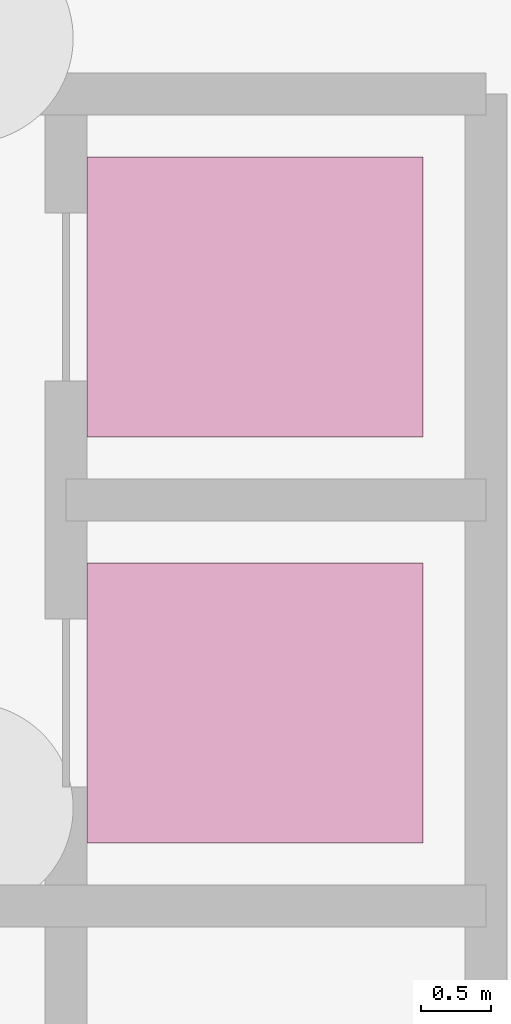
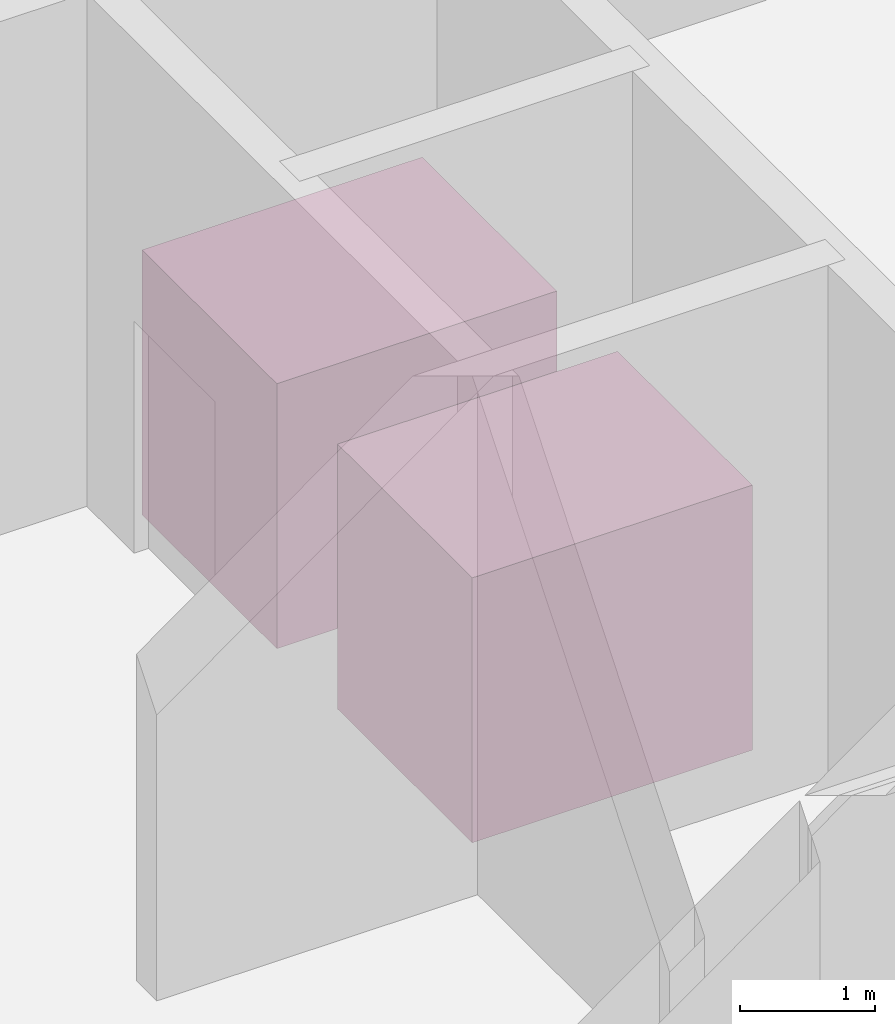
# One storey, part 8 of 8: 2 transport elements.
"""IFC4 building model written with IfcOpenShell, lengths in metres."""

from ifc_helpers import new_model, si_unit, direction, frame, origin, origin_2d, place, context, subcontext, project, spatial, rectangle, extrude, material, type_object, element, save


model = new_model("IFC4")

# Units and contexts
model_context = context("Model", 3, precision=1e-05, world=origin(), true_north=direction((0.0, 1.0)))
body_context = subcontext(model_context, "Body", "Model", "MODEL_VIEW")
ifc_project = project(units=[si_unit("LENGTHUNIT", "METRE"), si_unit("AREAUNIT", "SQUARE_METRE"), si_unit("VOLUMEUNIT", "CUBIC_METRE"), si_unit("PLANEANGLEUNIT", "RADIAN"), si_unit("MASSUNIT", "GRAM", prefix="KILO")], contexts=[model_context])

# Site, building, storey
site_placement = place(None, origin())
site = spatial("IfcSite", under=ifc_project, at=site_placement, CompositionType="ELEMENT")
building_placement = place(site_placement, origin())
building = spatial("IfcBuilding", under=site, at=building_placement, Name="Entoto Ring Tower", CompositionType="ELEMENT")
storey_placement = place(building_placement, frame((0.0, 0.0, -9.60009765625)))
storey = spatial("IfcBuildingStorey", under=building, at=storey_placement, Name="B2", CompositionType="ELEMENT", Elevation=-9.60009765625)

# Transport elements
ifc_material = material(Name="Steel S355", Category="steel")
transport_element_type = type_object("IfcTransportElementType", Name="Firefighting lift 2000 x 2400 2000 kg", PredefinedType="ELEVATOR", material=ifc_material)
for number, where, z_axis, x_axis, name in (
    (1, (86.550048828125, 86.25, 0.000244140625), (0.0, 0.0, 1.0), (1.0, 0.0, 0.0), "Firefighting lift FF1"),
    (2, (86.550048828125, 89.14990234375, 0.000244140625), (0.0, 0.0, 1.0), (1.0, 0.0, 0.0), "Firefighting lift FF2"),
):
    element("IfcTransportElement", number, at=place(storey_placement, frame(where, z_axis=z_axis, x_axis=x_axis)), inside=storey, type_object=transport_element_type, Name=name, PredefinedType="ELEVATOR", context=body_context, shape_type="SweptSolid", body=[
        extrude(rectangle(XDim=2.39990234375, YDim=2.0, at=origin_2d()), origin(), (0.0, 0.0, 1.0), 2.39990234375),
    ])

save(model, "model.ifc")
